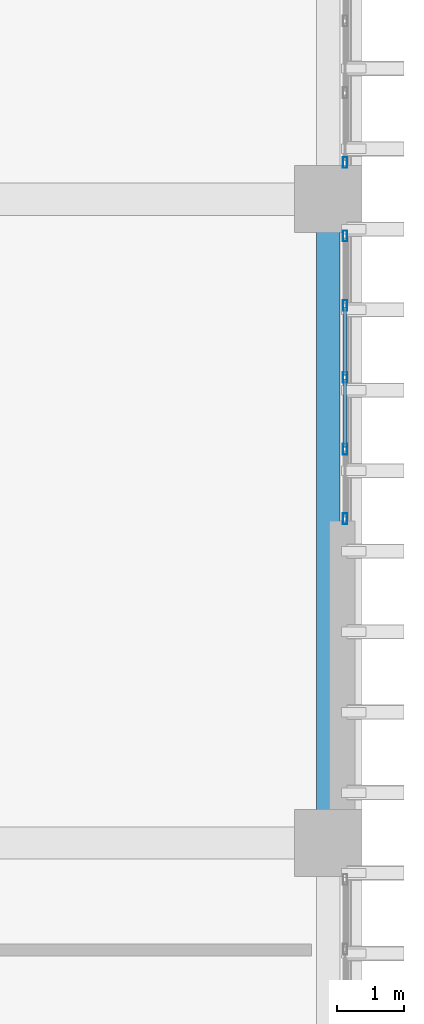
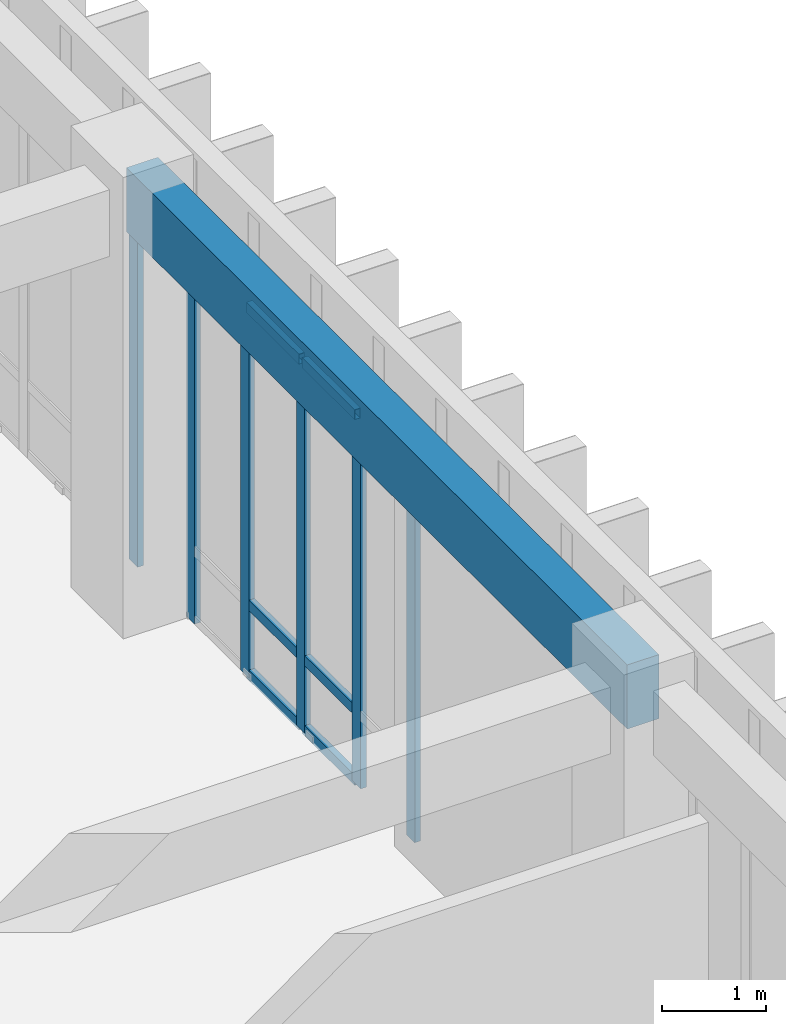
# One storey, part 72 of 134: 12 members, 1 beam, 2 elements without a shape of their own.
"""IFC4 building model written with IfcOpenShell, lengths in metres."""

from ifc_helpers import new_model, si_unit, direction, frame, origin, origin_2d, place, context, subcontext, project, spatial, rectangle, hollow_rectangle, extrude, material, layer, layer_set, material_profile, profile_set, type_object, element, aggregate, save


model = new_model("IFC4")

# Units and contexts
model_context = context("Model", 3, precision=1e-05, world=origin(), true_north=direction((0.0, 1.0)))
body_context = subcontext(model_context, "Body", "Model", "MODEL_VIEW")
ifc_project = project(units=[si_unit("LENGTHUNIT", "METRE"), si_unit("AREAUNIT", "SQUARE_METRE"), si_unit("VOLUMEUNIT", "CUBIC_METRE"), si_unit("PLANEANGLEUNIT", "RADIAN"), si_unit("MASSUNIT", "GRAM", prefix="KILO")], contexts=[model_context])

# Site, building, storey
site_placement = place(None, origin())
site = spatial("IfcSite", under=ifc_project, at=site_placement, CompositionType="ELEMENT")
building_placement = place(site_placement, origin())
building = spatial("IfcBuilding", under=site, at=building_placement, Name="Nakhvara Creek Congress Hotel", CompositionType="ELEMENT")
storey_placement = place(building_placement, frame((0.0, 0.0, 6.0)))
storey = spatial("IfcBuildingStorey", under=building, at=storey_placement, Name="L01", CompositionType="ELEMENT", Elevation=6.0)

# Beam
ifc_material_1 = material(Name="Concrete C40/50", Category="concrete")
ifc_material_profile_1 = material_profile(ifc_material_1, rectangle(XDim=0.35009765625, YDim=0.75, at=origin_2d()), Name="RC-SPANDREL 350x750", Category="LoadBearing")
ifc_profile_set_1 = profile_set([ifc_material_profile_1], Name="Concrete C40/50")
beam_type = type_object("IfcBeamType", Name="BM-SPN-350X750", PredefinedType="SPANDREL", material=ifc_profile_set_1)
beam_placement = place(storey_placement, frame((179.35009765625, 67.199951171875, 4.72509765625), z_axis=(0.0, 1.0, 0.0), x_axis=(-1.0, 0.0, 0.0)))
element("IfcBeam", 1, at=beam_placement, inside=storey, type_object=beam_type, Name="Beam SP1-L01-1356", PredefinedType="SPANDREL", context=body_context, shape_type="SweptSolid", body=[
    extrude(rectangle(XDim=0.35009765625, YDim=0.75, at=origin_2d()), origin(), (0.0, 0.0, 1.0), 9.60009765625),
])

# Curtain wall, members
ifc_material_2 = material(Name="Bronze-anodised aluminium AW-6063-T6 and double-silver low-E glass", Category="aluminium")
ifc_layer = layer(ifc_material_2, 0.199951171875)
ifc_layer_set = layer_set([ifc_layer], Name="Bronze-anodised aluminium AW-6063-T6 and double-silver low-E glass")
curtain_wall_type = type_object("IfcCurtainWallType", Name="CW-HTL-UNIT", PredefinedType="USERDEFINED", material=ifc_layer_set)
curtain_wall_1_placement = place(storey_placement, origin())
curtain_wall_1 = element("IfcCurtainWall", 2, at=curtain_wall_1_placement, inside=storey, type_object=curtain_wall_type, Name="Curtain Wall CW116", ObjectType="UNITISED", PredefinedType="USERDEFINED")
ifc_material_3 = material(Name="Bronze-anodised aluminium AW-6063-T6", Category="aluminium")
ifc_material_profile_2 = material_profile(ifc_material_3, hollow_rectangle(XDim=0.06494140625, YDim=0.159912109375, WallThickness=0.00390625, at=origin_2d()), Name="ALU-MULL 65x160x4", Category="LoadBearing")
ifc_profile_set_2 = profile_set([ifc_material_profile_2], Name="Bronze-anodised aluminium AW-6063-T6")
member_type_1 = type_object("IfcMemberType", Name="CW-MULL-160", PredefinedType="MULLION", material=ifc_profile_set_2)
member_1_placement = place(storey_placement, frame((179.60009765625, 76.25244140625, 0.0), z_axis=(0.0, 0.0, 1.0), x_axis=(1.0, 0.0, 0.0)))
member_1 = element("IfcMember", 3, at=member_1_placement, type_object=member_type_1, Name="CW116 mullion 1", PredefinedType="MULLION", context=body_context, shape_type="SweptSolid", body=[
    extrude(hollow_rectangle(XDim=0.06494140625, YDim=0.159912109375, WallThickness=0.00390625, at=origin_2d()), origin(), (0.0, 0.0, 1.0), 4.342041015625),
])
member_2_placement = place(storey_placement, frame((179.60009765625, 75.2138671875, 0.0), z_axis=(0.0, 0.0, 1.0), x_axis=(1.0, 0.0, 0.0)))
member_2 = element("IfcMember", 4, at=member_2_placement, type_object=member_type_1, Name="CW116 mullion 2", PredefinedType="MULLION", context=body_context, shape_type="SweptSolid", body=[
    extrude(hollow_rectangle(XDim=0.06494140625, YDim=0.159912109375, WallThickness=0.00390625, at=origin_2d()), origin(), (0.0, 0.0, 1.0), 4.342041015625),
])
member_3_placement = place(storey_placement, frame((179.60009765625, 74.142578125, 0.0), z_axis=(0.0, 0.0, 1.0), x_axis=(1.0, 0.0, 0.0)))
member_3 = element("IfcMember", 5, at=member_3_placement, type_object=member_type_1, Name="CW116 mullion 3", PredefinedType="MULLION", context=body_context, shape_type="SweptSolid", body=[
    extrude(hollow_rectangle(XDim=0.06494140625, YDim=0.159912109375, WallThickness=0.00390625, at=origin_2d()), origin(), (0.0, 0.0, 1.0), 4.342041015625),
])
member_4_placement = place(storey_placement, frame((179.60009765625, 73.0712890625, 0.0), z_axis=(0.0, 0.0, 1.0), x_axis=(1.0, 0.0, 0.0)))
member_4 = element("IfcMember", 6, at=member_4_placement, type_object=member_type_1, Name="CW116 mullion 4", PredefinedType="MULLION", context=body_context, shape_type="SweptSolid", body=[
    extrude(hollow_rectangle(XDim=0.06494140625, YDim=0.159912109375, WallThickness=0.00390625, at=origin_2d()), origin(), (0.0, 0.0, 1.0), 4.342041015625),
])
member_5_placement = place(storey_placement, frame((179.60009765625, 72.032470703125, 0.0), z_axis=(0.0, 0.0, 1.0), x_axis=(1.0, 0.0, 0.0)))
member_5 = element("IfcMember", 7, at=member_5_placement, type_object=member_type_1, Name="CW116 mullion 5", PredefinedType="MULLION", context=body_context, shape_type="SweptSolid", body=[
    extrude(hollow_rectangle(XDim=0.06494140625, YDim=0.159912109375, WallThickness=0.00390625, at=origin_2d()), origin(), (0.0, 0.0, 1.0), 4.342041015625),
])

# Curtain wall, member
curtain_wall_2_placement = place(storey_placement, origin())
curtain_wall_2 = element("IfcCurtainWall", 8, at=curtain_wall_2_placement, inside=storey, type_object=curtain_wall_type, Name="Curtain Wall CW117", ObjectType="UNITISED", PredefinedType="USERDEFINED")
member_6_placement = place(storey_placement, frame((179.60009765625, 77.347412109375, 0.0), z_axis=(0.0, 0.0, 1.0), x_axis=(1.0, 0.0, 0.0)))
member_6 = element("IfcMember", 9, at=member_6_placement, type_object=member_type_1, Name="CW117 mullion 5", PredefinedType="MULLION", context=body_context, shape_type="SweptSolid", body=[
    extrude(hollow_rectangle(XDim=0.06494140625, YDim=0.159912109375, WallThickness=0.00390625, at=origin_2d()), origin(), (0.0, 0.0, 1.0), 4.342041015625),
])
aggregate(curtain_wall_2, [member_6])

# Member
ifc_material_profile_3 = material_profile(ifc_material_3, hollow_rectangle(XDim=0.06494140625, YDim=0.1201171875, WallThickness=0.00390625, at=origin_2d()), Name="ALU-TRAN 65x120x4", Category="LoadBearing")
ifc_profile_set_3 = profile_set([ifc_material_profile_3], Name="Bronze-anodised aluminium AW-6063-T6")
member_type_2 = type_object("IfcMemberType", Name="CW-TRAN-120", PredefinedType="USERDEFINED", material=ifc_profile_set_3)
member_7_placement = place(storey_placement, frame((179.60009765625, 75.18115234375, 0.032470703125), z_axis=(0.0, -1.0, 0.0), x_axis=(1.0, 0.0, 0.0)))
member_7 = element("IfcMember", 10, at=member_7_placement, type_object=member_type_2, Name="CW116 transom 2.1", ObjectType="TRANSOM", PredefinedType="USERDEFINED", context=body_context, shape_type="SweptSolid", body=[
    extrude(hollow_rectangle(XDim=0.06494140625, YDim=0.1201171875, WallThickness=0.00390625, at=origin_2d()), origin(), (0.0, 0.0, 1.0), 1.006103515625),
])

member_8_placement = place(storey_placement, frame((179.60009765625, 75.18115234375, 0.85009765625), z_axis=(0.0, -1.0, 0.0), x_axis=(1.0, 0.0, 0.0)))
member_8 = element("IfcMember", 11, at=member_8_placement, type_object=member_type_2, Name="CW116 transom 2.2", ObjectType="TRANSOM", PredefinedType="USERDEFINED", context=body_context, shape_type="SweptSolid", body=[
    extrude(hollow_rectangle(XDim=0.06494140625, YDim=0.1201171875, WallThickness=0.00390625, at=origin_2d()), origin(), (0.0, 0.0, 1.0), 1.006103515625),
])

member_9_placement = place(storey_placement, frame((179.60009765625, 75.18115234375, 4.3095703125), z_axis=(0.0, -1.0, 0.0), x_axis=(1.0, 0.0, 0.0)))
member_9 = element("IfcMember", 12, at=member_9_placement, type_object=member_type_2, Name="CW116 transom 2.3", ObjectType="TRANSOM", PredefinedType="USERDEFINED", context=body_context, shape_type="SweptSolid", body=[
    extrude(hollow_rectangle(XDim=0.06494140625, YDim=0.1201171875, WallThickness=0.00390625, at=origin_2d()), origin(), (0.0, 0.0, 1.0), 1.006103515625),
])

member_10_placement = place(storey_placement, frame((179.60009765625, 74.110107421875, 0.032470703125), z_axis=(0.0, -1.0, 0.0), x_axis=(1.0, 0.0, 0.0)))
member_10 = element("IfcMember", 13, at=member_10_placement, type_object=member_type_2, Name="CW116 transom 3.1", ObjectType="TRANSOM", PredefinedType="USERDEFINED", context=body_context, shape_type="SweptSolid", body=[
    extrude(hollow_rectangle(XDim=0.06494140625, YDim=0.1201171875, WallThickness=0.00390625, at=origin_2d()), origin(), (0.0, 0.0, 1.0), 1.00634765625),
])

member_11_placement = place(storey_placement, frame((179.60009765625, 74.110107421875, 0.85009765625), z_axis=(0.0, -1.0, 0.0), x_axis=(1.0, 0.0, 0.0)))
member_11 = element("IfcMember", 14, at=member_11_placement, type_object=member_type_2, Name="CW116 transom 3.2", ObjectType="TRANSOM", PredefinedType="USERDEFINED", context=body_context, shape_type="SweptSolid", body=[
    extrude(hollow_rectangle(XDim=0.06494140625, YDim=0.1201171875, WallThickness=0.00390625, at=origin_2d()), origin(), (0.0, 0.0, 1.0), 1.00634765625),
])

member_12_placement = place(storey_placement, frame((179.60009765625, 74.110107421875, 4.3095703125), z_axis=(0.0, -1.0, 0.0), x_axis=(1.0, 0.0, 0.0)))
member_12 = element("IfcMember", 15, at=member_12_placement, type_object=member_type_2, Name="CW116 transom 3.3", ObjectType="TRANSOM", PredefinedType="USERDEFINED", context=body_context, shape_type="SweptSolid", body=[
    extrude(hollow_rectangle(XDim=0.06494140625, YDim=0.1201171875, WallThickness=0.00390625, at=origin_2d()), origin(), (0.0, 0.0, 1.0), 1.00634765625),
])

aggregate(curtain_wall_1, [member_1, member_2, member_3, member_4, member_5, member_7, member_8, member_9, member_10, member_11, member_12])

save(model, "model.ifc")
